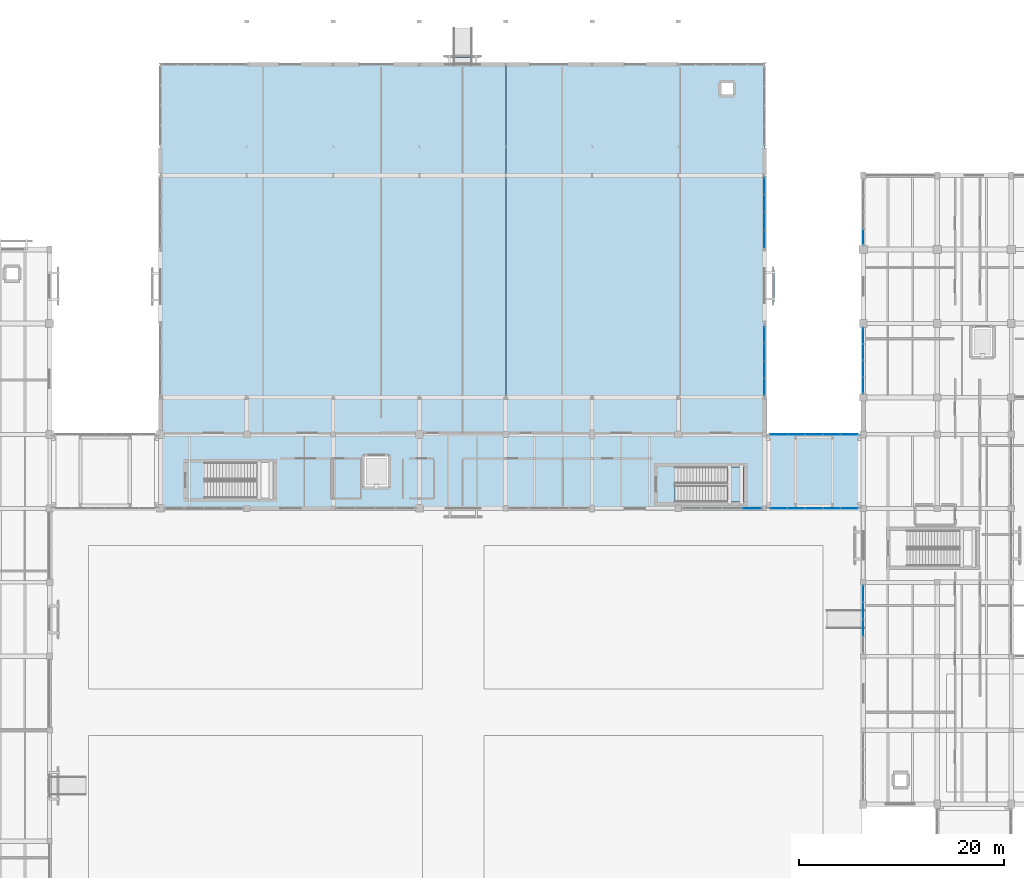
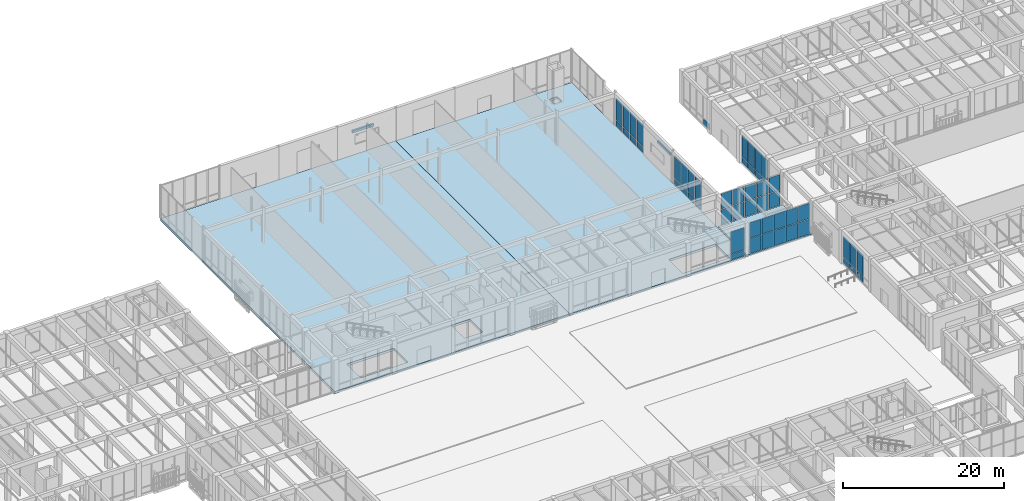
# One storey, part 115 of 169: 55 plates, 4 slabs, 9 elements without a shape of their own.
"""IFC4 building model written with IfcOpenShell, lengths in metres."""

from ifc_helpers import new_model, si_unit, direction, frame, origin, origin_2d, place, context, subcontext, project, spatial, polyline, rectangle, outline, extrude, material, layer, layer_set, type_object, element, aggregate, save


model = new_model("IFC4")

# Units and contexts
model_context = context("Model", 3, precision=1e-05, world=origin(), true_north=direction((0.0, 1.0)))
body_context = subcontext(model_context, "Body", "Model", "MODEL_VIEW")
ifc_project = project(units=[si_unit("LENGTHUNIT", "METRE"), si_unit("AREAUNIT", "SQUARE_METRE"), si_unit("VOLUMEUNIT", "CUBIC_METRE"), si_unit("PLANEANGLEUNIT", "RADIAN"), si_unit("MASSUNIT", "GRAM", prefix="KILO")], contexts=[model_context])

# Site, building, storey
site_placement = place(None, origin())
site = spatial("IfcSite", under=ifc_project, at=site_placement, CompositionType="ELEMENT")
building_placement = place(site_placement, origin())
building = spatial("IfcBuilding", under=site, at=building_placement, Name="Mazaris Harbour Polytechnic", CompositionType="ELEMENT")
storey_placement = place(building_placement, origin())
storey = spatial("IfcBuildingStorey", under=building, at=storey_placement, Name="L00", CompositionType="ELEMENT", Elevation=0.0)

# Curtain wall, plates
ifc_material_1 = material(Name="Anodised Bronze Aluminium and Low-E Glass", Category="aluminium")
ifc_layer_1 = layer(ifc_material_1, 0.14990234375, Name="Anodised Bronze Aluminium and Low-E Glass")
ifc_layer_set_1 = layer_set([ifc_layer_1], Name="Anodised Bronze Aluminium and Low-E Glass")
curtain_wall_type_1 = type_object("IfcCurtainWallType", Name="Workshop Clerestory Curtain Wall", PredefinedType="NOTDEFINED", material=ifc_layer_set_1)
curtain_wall_1_placement = place(storey_placement, origin())
curtain_wall_1 = element("IfcCurtainWall", 1, at=curtain_wall_1_placement, inside=storey, type_object=curtain_wall_type_1, Name="V1 L00 Curtain Wall 4", PredefinedType="NOTDEFINED")
ifc_material_2 = material(Name="Acoustic Low-E Double Glazing", Category="glass")
ifc_layer_2 = layer(ifc_material_2, 0.033935546875, Name="Acoustic Low-E Double Glazing")
ifc_layer_set_2 = layer_set([ifc_layer_2], Name="Acoustic Low-E Double Glazing")
plate_type_1 = type_object("IfcPlateType", Name="Acoustic Laminated Glass Panel 34", PredefinedType="CURTAIN_PANEL", material=ifc_layer_set_2)
plate_1_placement = place(storey_placement, frame((111.57470703125, 75.60009765625, 0.080078125), z_axis=(0.0, 0.0, 1.0), x_axis=(-1.0, 0.0, 0.0)))
plate_1 = element("IfcPlate", 2, at=plate_1_placement, type_object=plate_type_1, Name="CW-04 panel 1.1", PredefinedType="CURTAIN_PANEL", context=body_context, shape_type="SweptSolid", body=[
    extrude(rectangle(XDim=1.81640625, YDim=0.033935546875, at=origin_2d()), origin(), (0.0, 0.0, 1.0), 0.830078125),
])
plate_2_placement = place(storey_placement, frame((111.57470703125, 75.60009765625, 0.989990234375), z_axis=(0.0, 0.0, 1.0), x_axis=(-1.0, 0.0, 0.0)))
plate_2 = element("IfcPlate", 3, at=plate_2_placement, type_object=plate_type_1, Name="CW-04 panel 1.2", PredefinedType="CURTAIN_PANEL", context=body_context, shape_type="SweptSolid", body=[
    extrude(rectangle(XDim=1.81640625, YDim=0.033935546875, at=origin_2d()), origin(), (0.0, 0.0, 1.0), 3.35009765625),
])
aggregate(curtain_wall_1, [plate_1, plate_2])

curtain_wall_2_placement = place(storey_placement, origin())
curtain_wall_2 = element("IfcCurtainWall", 4, at=curtain_wall_2_placement, inside=storey, type_object=curtain_wall_type_1, Name="V1 L00 Curtain Wall 10", PredefinedType="NOTDEFINED")
plate_3_placement = place(storey_placement, frame((112.800048828125, 92.5029296875, 0.080078125), z_axis=(0.0, 0.0, 1.0), x_axis=(0.0, -1.0, 0.0)))
plate_3 = element("IfcPlate", 5, at=plate_3_placement, type_object=plate_type_1, Name="CW-04 panel 1.1", PredefinedType="CURTAIN_PANEL", context=body_context, shape_type="SweptSolid", body=[
    extrude(rectangle(XDim=1.55029296875, YDim=0.033935546875, at=origin_2d()), origin(), (0.0, 0.0, 1.0), 0.830078125),
])
plate_4_placement = place(storey_placement, frame((112.800048828125, 92.5029296875, 0.989990234375), z_axis=(0.0, 0.0, 1.0), x_axis=(0.0, -1.0, 0.0)))
plate_4 = element("IfcPlate", 6, at=plate_4_placement, type_object=plate_type_1, Name="CW-04 panel 1.2", PredefinedType="CURTAIN_PANEL", context=body_context, shape_type="SweptSolid", body=[
    extrude(rectangle(XDim=1.55029296875, YDim=0.033935546875, at=origin_2d()), origin(), (0.0, 0.0, 1.0), 3.39990234375),
])
plate_5_placement = place(storey_placement, frame((112.800048828125, 90.82763671875, 0.080078125), z_axis=(0.0, 0.0, 1.0), x_axis=(0.0, -1.0, 0.0)))
plate_5 = element("IfcPlate", 7, at=plate_5_placement, type_object=plate_type_1, Name="CW-04 panel 2.1", PredefinedType="CURTAIN_PANEL", context=body_context, shape_type="SweptSolid", body=[
    extrude(rectangle(XDim=1.600341796875, YDim=0.033935546875, at=origin_2d()), origin(), (0.0, 0.0, 1.0), 0.830078125),
])
plate_6_placement = place(storey_placement, frame((112.800048828125, 90.82763671875, 0.989990234375), z_axis=(0.0, 0.0, 1.0), x_axis=(0.0, -1.0, 0.0)))
plate_6 = element("IfcPlate", 8, at=plate_6_placement, type_object=plate_type_1, Name="CW-04 panel 2.2", PredefinedType="CURTAIN_PANEL", context=body_context, shape_type="SweptSolid", body=[
    extrude(rectangle(XDim=1.600341796875, YDim=0.033935546875, at=origin_2d()), origin(), (0.0, 0.0, 1.0), 3.39990234375),
])
plate_7_placement = place(storey_placement, frame((112.800048828125, 89.12744140625, 0.080078125), z_axis=(0.0, 0.0, 1.0), x_axis=(0.0, -1.0, 0.0)))
plate_7 = element("IfcPlate", 9, at=plate_7_placement, type_object=plate_type_1, Name="CW-04 panel 3.1", PredefinedType="CURTAIN_PANEL", context=body_context, shape_type="SweptSolid", body=[
    extrude(rectangle(XDim=1.600341796875, YDim=0.033935546875, at=origin_2d()), origin(), (0.0, 0.0, 1.0), 0.830078125),
])
plate_8_placement = place(storey_placement, frame((112.800048828125, 89.12744140625, 0.989990234375), z_axis=(0.0, 0.0, 1.0), x_axis=(0.0, -1.0, 0.0)))
plate_8 = element("IfcPlate", 10, at=plate_8_placement, type_object=plate_type_1, Name="CW-04 panel 3.2", PredefinedType="CURTAIN_PANEL", context=body_context, shape_type="SweptSolid", body=[
    extrude(rectangle(XDim=1.600341796875, YDim=0.033935546875, at=origin_2d()), origin(), (0.0, 0.0, 1.0), 3.39990234375),
])
plate_9_placement = place(storey_placement, frame((112.800048828125, 87.4521484375, 0.080078125), z_axis=(0.0, 0.0, 1.0), x_axis=(0.0, -1.0, 0.0)))
plate_9 = element("IfcPlate", 11, at=plate_9_placement, type_object=plate_type_1, Name="CW-04 panel 4.1", PredefinedType="CURTAIN_PANEL", context=body_context, shape_type="SweptSolid", body=[
    extrude(rectangle(XDim=1.55029296875, YDim=0.033935546875, at=origin_2d()), origin(), (0.0, 0.0, 1.0), 0.830078125),
])
plate_10_placement = place(storey_placement, frame((112.800048828125, 87.4521484375, 0.989990234375), z_axis=(0.0, 0.0, 1.0), x_axis=(0.0, -1.0, 0.0)))
plate_10 = element("IfcPlate", 12, at=plate_10_placement, type_object=plate_type_1, Name="CW-04 panel 4.2", PredefinedType="CURTAIN_PANEL", context=body_context, shape_type="SweptSolid", body=[
    extrude(rectangle(XDim=1.55029296875, YDim=0.033935546875, at=origin_2d()), origin(), (0.0, 0.0, 1.0), 3.39990234375),
])
aggregate(curtain_wall_2, [plate_3, plate_4, plate_5, plate_6, plate_7, plate_8, plate_9, plate_10])

curtain_wall_3_placement = place(storey_placement, origin())
curtain_wall_3 = element("IfcCurtainWall", 13, at=curtain_wall_3_placement, inside=storey, type_object=curtain_wall_type_1, Name="V1 L00 Curtain Wall 11", PredefinedType="NOTDEFINED")
plate_11_placement = place(storey_placement, frame((112.800048828125, 106.98486328125, 0.080078125), z_axis=(0.0, 0.0, 1.0), x_axis=(0.0, -1.0, 0.0)))
plate_11 = element("IfcPlate", 14, at=plate_11_placement, type_object=plate_type_1, Name="CW-04 panel 1.1", PredefinedType="CURTAIN_PANEL", context=body_context, shape_type="SweptSolid", body=[
    extrude(rectangle(XDim=1.596435546875, YDim=0.033935546875, at=origin_2d()), origin(), (0.0, 0.0, 1.0), 0.830078125),
])
plate_12_placement = place(storey_placement, frame((112.800048828125, 106.98486328125, 0.98974609375), z_axis=(0.0, 0.0, 1.0), x_axis=(0.0, -1.0, 0.0)))
plate_12 = element("IfcPlate", 15, at=plate_12_placement, type_object=plate_type_1, Name="CW-04 panel 1.2", PredefinedType="CURTAIN_PANEL", context=body_context, shape_type="SweptSolid", body=[
    extrude(rectangle(XDim=1.596435546875, YDim=0.033935546875, at=origin_2d()), origin(), (0.0, 0.0, 1.0), 3.300048828125),
])
plate_13_placement = place(storey_placement, frame((112.800048828125, 105.26318359375, 0.080078125), z_axis=(0.0, 0.0, 1.0), x_axis=(0.0, -1.0, 0.0)))
plate_13 = element("IfcPlate", 16, at=plate_13_placement, type_object=plate_type_1, Name="CW-04 panel 2.1", PredefinedType="CURTAIN_PANEL", context=body_context, shape_type="SweptSolid", body=[
    extrude(rectangle(XDim=1.646484375, YDim=0.033935546875, at=origin_2d()), origin(), (0.0, 0.0, 1.0), 0.830078125),
])
plate_14_placement = place(storey_placement, frame((112.800048828125, 105.26318359375, 0.98974609375), z_axis=(0.0, 0.0, 1.0), x_axis=(0.0, -1.0, 0.0)))
plate_14 = element("IfcPlate", 17, at=plate_14_placement, type_object=plate_type_1, Name="CW-04 panel 2.2", PredefinedType="CURTAIN_PANEL", context=body_context, shape_type="SweptSolid", body=[
    extrude(rectangle(XDim=1.646484375, YDim=0.033935546875, at=origin_2d()), origin(), (0.0, 0.0, 1.0), 3.300048828125),
])
plate_15_placement = place(storey_placement, frame((112.800048828125, 103.516845703125, 0.080078125), z_axis=(0.0, 0.0, 1.0), x_axis=(0.0, -1.0, 0.0)))
plate_15 = element("IfcPlate", 18, at=plate_15_placement, type_object=plate_type_1, Name="CW-04 panel 3.1", PredefinedType="CURTAIN_PANEL", context=body_context, shape_type="SweptSolid", body=[
    extrude(rectangle(XDim=1.646484375, YDim=0.033935546875, at=origin_2d()), origin(), (0.0, 0.0, 1.0), 0.830078125),
])
plate_16_placement = place(storey_placement, frame((112.800048828125, 103.516845703125, 0.98974609375), z_axis=(0.0, 0.0, 1.0), x_axis=(0.0, -1.0, 0.0)))
plate_16 = element("IfcPlate", 19, at=plate_16_placement, type_object=plate_type_1, Name="CW-04 panel 3.2", PredefinedType="CURTAIN_PANEL", context=body_context, shape_type="SweptSolid", body=[
    extrude(rectangle(XDim=1.646484375, YDim=0.033935546875, at=origin_2d()), origin(), (0.0, 0.0, 1.0), 3.300048828125),
])
plate_17_placement = place(storey_placement, frame((112.800048828125, 101.795166015625, 0.080078125), z_axis=(0.0, 0.0, 1.0), x_axis=(0.0, -1.0, 0.0)))
plate_17 = element("IfcPlate", 20, at=plate_17_placement, type_object=plate_type_1, Name="CW-04 panel 4.1", PredefinedType="CURTAIN_PANEL", context=body_context, shape_type="SweptSolid", body=[
    extrude(rectangle(XDim=1.596435546875, YDim=0.033935546875, at=origin_2d()), origin(), (0.0, 0.0, 1.0), 0.830078125),
])
plate_18_placement = place(storey_placement, frame((112.800048828125, 101.795166015625, 0.98974609375), z_axis=(0.0, 0.0, 1.0), x_axis=(0.0, -1.0, 0.0)))
plate_18 = element("IfcPlate", 21, at=plate_18_placement, type_object=plate_type_1, Name="CW-04 panel 4.2", PredefinedType="CURTAIN_PANEL", context=body_context, shape_type="SweptSolid", body=[
    extrude(rectangle(XDim=1.596435546875, YDim=0.033935546875, at=origin_2d()), origin(), (0.0, 0.0, 1.0), 3.300048828125),
])
aggregate(curtain_wall_3, [plate_11, plate_12, plate_13, plate_14, plate_15, plate_16, plate_17, plate_18])

# Slab
ifc_material_3 = material(Name="Glulam GL28h and Concrete C30/37", Category="concrete")
ifc_layer_3 = layer(ifc_material_3, 0.264892578125, Name="Glulam GL28h and Concrete C30/37")
ifc_layer_set_3 = layer_set([ifc_layer_3], Name="Glulam GL28h and Concrete C30/37")
slab_type_1 = type_object("IfcSlabType", Name="CLT Composite Floor 265", PredefinedType="FLOOR", material=ifc_layer_set_3)
slab_1_placement = place(storey_placement, frame((0.0, 0.0, -0.264892578125)))
element("IfcSlab", 22, at=slab_1_placement, inside=storey, type_object=slab_type_1, Name="PB-E2 L00 Bridge Deck", PredefinedType="FLOOR", context=body_context, shape_type="SweptSolid", body=[
    extrude(outline(polyline([(122.25, 75.60009765625), (122.25, 82.800048828125), (112.949951171875, 82.800048828125), (112.949951171875, 75.60009765625), (122.25, 75.60009765625)])), origin(), (0.0, 0.0, 1.0), 0.264892578125),
])

# Curtain wall, plates
ifc_material_4 = material(Name="Anodised Bronze Aluminium and Low-E Glass", Category="aluminium")
ifc_layer_4 = layer(ifc_material_4, 0.139892578125, Name="Anodised Bronze Aluminium and Low-E Glass")
ifc_layer_set_4 = layer_set([ifc_layer_4], Name="Anodised Bronze Aluminium and Low-E Glass")
curtain_wall_type_2 = type_object("IfcCurtainWallType", Name="Seismic Link Bridge Glazing", PredefinedType="NOTDEFINED", material=ifc_layer_set_4)
curtain_wall_4_placement = place(storey_placement, origin())
curtain_wall_4 = element("IfcCurtainWall", 23, at=curtain_wall_4_placement, inside=storey, type_object=curtain_wall_type_2, Name="PB-E2 L00 Bridge Glazing", PredefinedType="NOTDEFINED")
ifc_material_5 = material(Name="Anodised Bronze Insulated Panel")
ifc_layer_5 = layer(ifc_material_5, 0.0419921875, Name="Anodised Bronze Insulated Panel")
ifc_layer_set_5 = layer_set([ifc_layer_5], Name="Anodised Bronze Insulated Panel")
plate_type_2 = type_object("IfcPlateType", Name="Insulated Bronze Spandrel Panel 42", PredefinedType="CURTAIN_PANEL", material=ifc_layer_set_5)
plate_19_placement = place(storey_placement, frame((114.1640625, 75.60009765625, 0.080078125), z_axis=(0.0, 0.0, 1.0), x_axis=(1.0, 0.0, 0.0)))
plate_19 = element("IfcPlate", 24, at=plate_19_placement, type_object=plate_type_2, Name="CW-05 panel 1.1", PredefinedType="CURTAIN_PANEL", context=body_context, shape_type="SweptSolid", body=[
    extrude(rectangle(XDim=1.60791015625, YDim=0.0419921875, at=origin_2d()), origin(), (0.0, 0.0, 1.0), 2.297607421875),
])
plate_20_placement = place(storey_placement, frame((114.1640625, 75.60009765625, 2.45751953125), z_axis=(0.0, 0.0, 1.0), x_axis=(1.0, 0.0, 0.0)))
plate_20 = element("IfcPlate", 25, at=plate_20_placement, type_object=plate_type_2, Name="CW-05 panel 1.2", PredefinedType="CURTAIN_PANEL", context=body_context, shape_type="SweptSolid", body=[
    extrude(rectangle(XDim=1.60791015625, YDim=0.0419921875, at=origin_2d()), origin(), (0.0, 0.0, 1.0), 2.297607421875),
])
plate_21_placement = place(storey_placement, frame((115.8720703125, 75.60009765625, 0.080078125), z_axis=(0.0, 0.0, 1.0), x_axis=(1.0, 0.0, 0.0)))
plate_21 = element("IfcPlate", 26, at=plate_21_placement, type_object=plate_type_2, Name="CW-05 panel 2.1", PredefinedType="CURTAIN_PANEL", context=body_context, shape_type="SweptSolid", body=[
    extrude(rectangle(XDim=1.64794921875, YDim=0.0419921875, at=origin_2d()), origin(), (0.0, 0.0, 1.0), 2.297607421875),
])
plate_22_placement = place(storey_placement, frame((115.8720703125, 75.60009765625, 2.45751953125), z_axis=(0.0, 0.0, 1.0), x_axis=(1.0, 0.0, 0.0)))
plate_22 = element("IfcPlate", 27, at=plate_22_placement, type_object=plate_type_2, Name="CW-05 panel 2.2", PredefinedType="CURTAIN_PANEL", context=body_context, shape_type="SweptSolid", body=[
    extrude(rectangle(XDim=1.64794921875, YDim=0.0419921875, at=origin_2d()), origin(), (0.0, 0.0, 1.0), 2.297607421875),
])
plate_23_placement = place(storey_placement, frame((117.60009765625, 75.60009765625, 0.080078125), z_axis=(0.0, 0.0, 1.0), x_axis=(1.0, 0.0, 0.0)))
plate_23 = element("IfcPlate", 28, at=plate_23_placement, type_object=plate_type_2, Name="CW-05 panel 3.1", PredefinedType="CURTAIN_PANEL", context=body_context, shape_type="SweptSolid", body=[
    extrude(rectangle(XDim=1.64794921875, YDim=0.0419921875, at=origin_2d()), origin(), (0.0, 0.0, 1.0), 2.297607421875),
])
plate_24_placement = place(storey_placement, frame((117.60009765625, 75.60009765625, 2.45751953125), z_axis=(0.0, 0.0, 1.0), x_axis=(1.0, 0.0, 0.0)))
plate_24 = element("IfcPlate", 29, at=plate_24_placement, type_object=plate_type_2, Name="CW-05 panel 3.2", PredefinedType="CURTAIN_PANEL", context=body_context, shape_type="SweptSolid", body=[
    extrude(rectangle(XDim=1.64794921875, YDim=0.0419921875, at=origin_2d()), origin(), (0.0, 0.0, 1.0), 2.297607421875),
])
plate_25_placement = place(storey_placement, frame((119.327880859375, 75.60009765625, 0.080078125), z_axis=(0.0, 0.0, 1.0), x_axis=(1.0, 0.0, 0.0)))
plate_25 = element("IfcPlate", 30, at=plate_25_placement, type_object=plate_type_2, Name="CW-05 panel 4.1", PredefinedType="CURTAIN_PANEL", context=body_context, shape_type="SweptSolid", body=[
    extrude(rectangle(XDim=1.64794921875, YDim=0.0419921875, at=origin_2d()), origin(), (0.0, 0.0, 1.0), 2.297607421875),
])
plate_26_placement = place(storey_placement, frame((119.327880859375, 75.60009765625, 2.45751953125), z_axis=(0.0, 0.0, 1.0), x_axis=(1.0, 0.0, 0.0)))
plate_26 = element("IfcPlate", 31, at=plate_26_placement, type_object=plate_type_2, Name="CW-05 panel 4.2", PredefinedType="CURTAIN_PANEL", context=body_context, shape_type="SweptSolid", body=[
    extrude(rectangle(XDim=1.64794921875, YDim=0.0419921875, at=origin_2d()), origin(), (0.0, 0.0, 1.0), 2.297607421875),
])
plate_27_placement = place(storey_placement, frame((121.035888671875, 75.60009765625, 0.080078125), z_axis=(0.0, 0.0, 1.0), x_axis=(1.0, 0.0, 0.0)))
plate_27 = element("IfcPlate", 32, at=plate_27_placement, type_object=plate_type_2, Name="CW-05 panel 5.1", PredefinedType="CURTAIN_PANEL", context=body_context, shape_type="SweptSolid", body=[
    extrude(rectangle(XDim=1.60791015625, YDim=0.0419921875, at=origin_2d()), origin(), (0.0, 0.0, 1.0), 2.297607421875),
])
plate_28_placement = place(storey_placement, frame((121.035888671875, 75.60009765625, 2.45751953125), z_axis=(0.0, 0.0, 1.0), x_axis=(1.0, 0.0, 0.0)))
plate_28 = element("IfcPlate", 33, at=plate_28_placement, type_object=plate_type_2, Name="CW-05 panel 5.2", PredefinedType="CURTAIN_PANEL", context=body_context, shape_type="SweptSolid", body=[
    extrude(rectangle(XDim=1.60791015625, YDim=0.0419921875, at=origin_2d()), origin(), (0.0, 0.0, 1.0), 2.297607421875),
])
aggregate(curtain_wall_4, [plate_19, plate_20, plate_21, plate_22, plate_23, plate_24, plate_25, plate_26, plate_27, plate_28])

curtain_wall_5_placement = place(storey_placement, origin())
curtain_wall_5 = element("IfcCurtainWall", 34, at=curtain_wall_5_placement, inside=storey, type_object=curtain_wall_type_2, Name="PB-E2 L00 Bridge Glazing", PredefinedType="NOTDEFINED")
ifc_material_6 = material(Name="Low-E Double Glazing", Category="glass")
ifc_layer_6 = layer(ifc_material_6, 0.028076171875, Name="Low-E Double Glazing")
ifc_layer_set_6 = layer_set([ifc_layer_6], Name="Low-E Double Glazing")
plate_type_3 = type_object("IfcPlateType", Name="Low-E Vision Glass Panel 28", PredefinedType="CURTAIN_PANEL", material=ifc_layer_set_6)
plate_29_placement = place(storey_placement, frame((121.035888671875, 82.800048828125, 0.080078125), z_axis=(0.0, 0.0, 1.0), x_axis=(-1.0, 0.0, 0.0)))
plate_29 = element("IfcPlate", 35, at=plate_29_placement, type_object=plate_type_3, Name="CW-05 panel 1.1", PredefinedType="CURTAIN_PANEL", context=body_context, shape_type="SweptSolid", body=[
    extrude(rectangle(XDim=1.60791015625, YDim=0.028076171875, at=origin_2d()), origin(), (0.0, 0.0, 1.0), 2.297607421875),
])
plate_30_placement = place(storey_placement, frame((121.035888671875, 82.800048828125, 2.45751953125), z_axis=(0.0, 0.0, 1.0), x_axis=(-1.0, 0.0, 0.0)))
plate_30 = element("IfcPlate", 36, at=plate_30_placement, type_object=plate_type_3, Name="CW-05 panel 1.2", PredefinedType="CURTAIN_PANEL", context=body_context, shape_type="SweptSolid", body=[
    extrude(rectangle(XDim=1.60791015625, YDim=0.028076171875, at=origin_2d()), origin(), (0.0, 0.0, 1.0), 2.297607421875),
])
plate_31_placement = place(storey_placement, frame((119.327880859375, 82.800048828125, 0.080078125), z_axis=(0.0, 0.0, 1.0), x_axis=(-1.0, 0.0, 0.0)))
plate_31 = element("IfcPlate", 37, at=plate_31_placement, type_object=plate_type_3, Name="CW-05 panel 2.1", PredefinedType="CURTAIN_PANEL", context=body_context, shape_type="SweptSolid", body=[
    extrude(rectangle(XDim=1.64794921875, YDim=0.028076171875, at=origin_2d()), origin(), (0.0, 0.0, 1.0), 2.297607421875),
])
plate_32_placement = place(storey_placement, frame((119.327880859375, 82.800048828125, 2.45751953125), z_axis=(0.0, 0.0, 1.0), x_axis=(-1.0, 0.0, 0.0)))
plate_32 = element("IfcPlate", 38, at=plate_32_placement, type_object=plate_type_3, Name="CW-05 panel 2.2", PredefinedType="CURTAIN_PANEL", context=body_context, shape_type="SweptSolid", body=[
    extrude(rectangle(XDim=1.64794921875, YDim=0.028076171875, at=origin_2d()), origin(), (0.0, 0.0, 1.0), 2.297607421875),
])
plate_33_placement = place(storey_placement, frame((117.60009765625, 82.800048828125, 0.080078125), z_axis=(0.0, 0.0, 1.0), x_axis=(-1.0, 0.0, 0.0)))
plate_33 = element("IfcPlate", 39, at=plate_33_placement, type_object=plate_type_3, Name="CW-05 panel 3.1", PredefinedType="CURTAIN_PANEL", context=body_context, shape_type="SweptSolid", body=[
    extrude(rectangle(XDim=1.64794921875, YDim=0.028076171875, at=origin_2d()), origin(), (0.0, 0.0, 1.0), 2.297607421875),
])
plate_34_placement = place(storey_placement, frame((117.60009765625, 82.800048828125, 2.45751953125), z_axis=(0.0, 0.0, 1.0), x_axis=(-1.0, 0.0, 0.0)))
plate_34 = element("IfcPlate", 40, at=plate_34_placement, type_object=plate_type_3, Name="CW-05 panel 3.2", PredefinedType="CURTAIN_PANEL", context=body_context, shape_type="SweptSolid", body=[
    extrude(rectangle(XDim=1.64794921875, YDim=0.028076171875, at=origin_2d()), origin(), (0.0, 0.0, 1.0), 2.297607421875),
])
plate_35_placement = place(storey_placement, frame((115.8720703125, 82.800048828125, 0.080078125), z_axis=(0.0, 0.0, 1.0), x_axis=(-1.0, 0.0, 0.0)))
plate_35 = element("IfcPlate", 41, at=plate_35_placement, type_object=plate_type_3, Name="CW-05 panel 4.1", PredefinedType="CURTAIN_PANEL", context=body_context, shape_type="SweptSolid", body=[
    extrude(rectangle(XDim=1.64794921875, YDim=0.028076171875, at=origin_2d()), origin(), (0.0, 0.0, 1.0), 2.297607421875),
])
plate_36_placement = place(storey_placement, frame((115.8720703125, 82.800048828125, 2.45751953125), z_axis=(0.0, 0.0, 1.0), x_axis=(-1.0, 0.0, 0.0)))
plate_36 = element("IfcPlate", 42, at=plate_36_placement, type_object=plate_type_3, Name="CW-05 panel 4.2", PredefinedType="CURTAIN_PANEL", context=body_context, shape_type="SweptSolid", body=[
    extrude(rectangle(XDim=1.64794921875, YDim=0.028076171875, at=origin_2d()), origin(), (0.0, 0.0, 1.0), 2.297607421875),
])
plate_37_placement = place(storey_placement, frame((114.1640625, 82.800048828125, 0.080078125), z_axis=(0.0, 0.0, 1.0), x_axis=(-1.0, 0.0, 0.0)))
plate_37 = element("IfcPlate", 43, at=plate_37_placement, type_object=plate_type_3, Name="CW-05 panel 5.1", PredefinedType="CURTAIN_PANEL", context=body_context, shape_type="SweptSolid", body=[
    extrude(rectangle(XDim=1.60791015625, YDim=0.028076171875, at=origin_2d()), origin(), (0.0, 0.0, 1.0), 2.297607421875),
])
plate_38_placement = place(storey_placement, frame((114.1640625, 82.800048828125, 2.45751953125), z_axis=(0.0, 0.0, 1.0), x_axis=(-1.0, 0.0, 0.0)))
plate_38 = element("IfcPlate", 44, at=plate_38_placement, type_object=plate_type_3, Name="CW-05 panel 5.2", PredefinedType="CURTAIN_PANEL", context=body_context, shape_type="SweptSolid", body=[
    extrude(rectangle(XDim=1.60791015625, YDim=0.028076171875, at=origin_2d()), origin(), (0.0, 0.0, 1.0), 2.297607421875),
])
aggregate(curtain_wall_5, [plate_29, plate_30, plate_31, plate_32, plate_33, plate_34, plate_35, plate_36, plate_37, plate_38])

# Plates
ifc_material_7 = material(Name="Perforated Earth-Coloured Terracotta Block", Category="masonry")
ifc_layer_7 = layer(ifc_material_7, 0.25, Name="Perforated Earth-Coloured Terracotta Block")
ifc_layer_set_7 = layer_set([ifc_layer_7], Name="Perforated Earth-Coloured Terracotta Block")
plate_type_4 = type_object("IfcPlateType", Name="Perforated Terracotta Workshop Screen 3060x250x380", PredefinedType="USERDEFINED", material=ifc_layer_set_7)
for number, where, z_axis, x_axis, name in (
    (45, (83.39990234375, 119.6201171875, 2.68017578125), (0.0, 0.0, 1.0), (1.0, 0.0, 0.0), "V1 L00 Terracotta Screen Crest Plaque 2"),
    (46, (113.6201171875, 97.262451171875, 2.68017578125), (0.0, 0.0, 1.0), (0.0, -1.0, 0.0), "V1 L00 Terracotta Screen Crest Plaque 4"),
):
    element("IfcPlate", number, at=place(storey_placement, frame(where, z_axis=z_axis, x_axis=x_axis)), inside=storey, type_object=plate_type_4, Name=name, ObjectType="SOLAR SCREEN", PredefinedType="USERDEFINED", context=body_context, shape_type="SweptSolid", body=[
        extrude(rectangle(XDim=3.06005859375, YDim=0.25, at=origin_2d()), origin(), (0.0, 0.0, 1.0), 0.3798828125),
    ])

# Stair, slab
ifc_material_8 = material(Name="Concrete C40/50", Category="concrete")
stair_type = type_object("IfcStairType", Name="Core Exit Stair H5400", PredefinedType="HALF_TURN_STAIR", material=ifc_material_8)
stair_placement = place(storey_placement, origin())
stair = element("IfcStair", 47, at=stair_placement, inside=storey, type_object=stair_type, Name="L00 ST02", PredefinedType="HALF_TURN_STAIR")
ifc_material_9 = material(Name="Concrete C40/50", Category="concrete")
ifc_layer_8 = layer(ifc_material_9, 0.199951171875, Name="Concrete C40/50")
ifc_layer_set_8 = layer_set([ifc_layer_8], Name="Concrete C40/50")
slab_type_2 = type_object("IfcSlabType", Name="RC Stair Landing 200", PredefinedType="LANDING", material=ifc_layer_set_8)
slab_2_placement = place(storey_placement, frame((0.0, 0.0, 2.5)))
slab_2 = element("IfcSlab", 48, at=slab_2_placement, type_object=slab_type_2, Name="ST02 landing 1", PredefinedType="LANDING", context=body_context, shape_type="SweptSolid", body=[
    extrude(outline(polyline([(109.14990234375, 76.199951171875), (110.800048828125, 76.199951171875), (110.800048828125, 79.64990234375), (109.14990234375, 79.64990234375), (109.14990234375, 76.199951171875)])), origin(), (0.0, 0.0, 1.0), 0.199951171875),
])
aggregate(stair, [slab_2])

# Slabs
ifc_material_10 = material(Name="Concrete C40/50", Category="concrete")
ifc_layer_9 = layer(ifc_material_10, 0.35009765625, Name="Concrete C40/50")
ifc_layer_set_9 = layer_set([ifc_layer_9], Name="Concrete C40/50")
slab_type_3 = type_object("IfcSlabType", Name="RC Workshop Heavy Slab 350", PredefinedType="FLOOR", material=ifc_layer_set_9)
slab_3_placement = place(storey_placement, frame((0.0, 0.0, -0.35009765625)))
element("IfcSlab", 49, at=slab_3_placement, inside=storey, type_object=slab_type_3, Name="V1 L00 Floor Slab", PredefinedType="FLOOR", context=body_context, shape_type="SweptSolid", body=[
    extrude(outline(polyline([(54.0, 75.60009765625), (54.0, 118.800048828125), (87.60009765625, 118.800048828125), (87.60009765625, 75.60009765625), (54.0, 75.60009765625)]), holes=[polyline([(65.0, 80.050048828125), (58.27490234375, 80.050048828125), (58.27490234375, 76.60009765625), (65.0, 76.60009765625), (65.0, 80.050048828125)]), polyline([(73.699951171875, 77.60009765625), (76.300048828125, 77.60009765625), (76.300048828125, 80.800048828125), (73.699951171875, 80.800048828125), (73.699951171875, 77.60009765625)])]), origin(), (0.0, 0.0, 1.0), 0.35009765625),
])
slab_4_placement = place(storey_placement, frame((0.0, 0.0, -0.35009765625)))
element("IfcSlab", 50, at=slab_4_placement, inside=storey, type_object=slab_type_3, Name="V1 L00 Floor Slab", PredefinedType="FLOOR", context=body_context, shape_type="SweptSolid", body=[
    extrude(outline(polyline([(87.60009765625, 75.60009765625), (87.60009765625, 118.800048828125), (112.800048828125, 118.800048828125), (112.800048828125, 75.60009765625), (87.60009765625, 75.60009765625)]), holes=[polyline([(110.800048828125, 76.199951171875), (110.800048828125, 79.64990234375), (104.074951171875, 79.64990234375), (104.074951171875, 76.199951171875), (110.800048828125, 76.199951171875)]), polyline([(108.580078125, 117.0), (108.580078125, 115.8798828125), (109.699951171875, 115.8798828125), (109.699951171875, 117.0), (108.580078125, 117.0)])]), origin(), (0.0, 0.0, 1.0), 0.35009765625),
])

# Curtain wall, plates
ifc_material_11 = material(Name="Anodised Bronze Aluminium and Low-E Glass", Category="aluminium")
ifc_layer_10 = layer(ifc_material_11, 0.169921875, Name="Anodised Bronze Aluminium and Low-E Glass")
ifc_layer_set_10 = layer_set([ifc_layer_10], Name="Anodised Bronze Aluminium and Low-E Glass")
curtain_wall_type_3 = type_object("IfcCurtainWallType", Name="Studio North-Light Curtain Wall", PredefinedType="NOTDEFINED", material=ifc_layer_set_10)
curtain_wall_6_placement = place(storey_placement, origin())
curtain_wall_6 = element("IfcCurtainWall", 51, at=curtain_wall_6_placement, inside=storey, type_object=curtain_wall_type_3, Name="V5 L00 Curtain Wall 188", PredefinedType="NOTDEFINED")
ifc_material_12 = material(Name="Solar-Control Low-E Glazing", Category="glass")
ifc_layer_11 = layer(ifc_material_12, 0.031982421875, Name="Solar-Control Low-E Glazing")
ifc_layer_set_11 = layer_set([ifc_layer_11], Name="Solar-Control Low-E Glazing")
plate_type_5 = type_object("IfcPlateType", Name="Solar Control Studio Glass Panel 32", PredefinedType="CURTAIN_PANEL", material=ifc_layer_set_11)
plate_39_placement = place(storey_placement, frame((122.39990234375, 63.951171875, 0.080078125), z_axis=(0.0, 0.0, 1.0), x_axis=(0.0, 1.0, 0.0)))
plate_39 = element("IfcPlate", 52, at=plate_39_placement, type_object=plate_type_5, Name="CW-03 panel 2.1", PredefinedType="CURTAIN_PANEL", context=body_context, shape_type="SweptSolid", body=[
    extrude(rectangle(XDim=1.5927734375, YDim=0.031982421875, at=origin_2d()), origin(), (0.0, 0.0, 1.0), 0.830078125),
])
plate_40_placement = place(storey_placement, frame((122.39990234375, 63.951171875, 0.990234375), z_axis=(0.0, 0.0, 1.0), x_axis=(0.0, 1.0, 0.0)))
plate_40 = element("IfcPlate", 53, at=plate_40_placement, type_object=plate_type_5, Name="CW-03 panel 2.2", PredefinedType="CURTAIN_PANEL", context=body_context, shape_type="SweptSolid", body=[
    extrude(rectangle(XDim=1.5927734375, YDim=0.031982421875, at=origin_2d()), origin(), (0.0, 0.0, 1.0), 3.219970703125),
])
plate_41_placement = place(storey_placement, frame((122.39990234375, 65.623779296875, 0.080078125), z_axis=(0.0, 0.0, 1.0), x_axis=(0.0, 1.0, 0.0)))
plate_41 = element("IfcPlate", 54, at=plate_41_placement, type_object=plate_type_5, Name="CW-03 panel 3.1", PredefinedType="CURTAIN_PANEL", context=body_context, shape_type="SweptSolid", body=[
    extrude(rectangle(XDim=1.5927734375, YDim=0.031982421875, at=origin_2d()), origin(), (0.0, 0.0, 1.0), 0.830078125),
])
plate_42_placement = place(storey_placement, frame((122.39990234375, 65.623779296875, 0.990234375), z_axis=(0.0, 0.0, 1.0), x_axis=(0.0, 1.0, 0.0)))
plate_42 = element("IfcPlate", 55, at=plate_42_placement, type_object=plate_type_5, Name="CW-03 panel 3.2", PredefinedType="CURTAIN_PANEL", context=body_context, shape_type="SweptSolid", body=[
    extrude(rectangle(XDim=1.5927734375, YDim=0.031982421875, at=origin_2d()), origin(), (0.0, 0.0, 1.0), 3.219970703125),
])
plate_43_placement = place(storey_placement, frame((122.39990234375, 67.276611328125, 0.080078125), z_axis=(0.0, 0.0, 1.0), x_axis=(0.0, 1.0, 0.0)))
plate_43 = element("IfcPlate", 56, at=plate_43_placement, type_object=plate_type_5, Name="CW-03 panel 4.1", PredefinedType="CURTAIN_PANEL", context=body_context, shape_type="SweptSolid", body=[
    extrude(rectangle(XDim=1.552734375, YDim=0.031982421875, at=origin_2d()), origin(), (0.0, 0.0, 1.0), 0.830078125),
])
plate_44_placement = place(storey_placement, frame((122.39990234375, 67.276611328125, 0.990234375), z_axis=(0.0, 0.0, 1.0), x_axis=(0.0, 1.0, 0.0)))
plate_44 = element("IfcPlate", 57, at=plate_44_placement, type_object=plate_type_5, Name="CW-03 panel 4.2", PredefinedType="CURTAIN_PANEL", context=body_context, shape_type="SweptSolid", body=[
    extrude(rectangle(XDim=1.552734375, YDim=0.031982421875, at=origin_2d()), origin(), (0.0, 0.0, 1.0), 3.219970703125),
])
aggregate(curtain_wall_6, [plate_39, plate_40, plate_41, plate_42, plate_43, plate_44])

curtain_wall_7_placement = place(storey_placement, origin())
curtain_wall_7 = element("IfcCurtainWall", 58, at=curtain_wall_7_placement, inside=storey, type_object=curtain_wall_type_3, Name="V5 L00 Curtain Wall 189", PredefinedType="NOTDEFINED")
plate_45_placement = place(storey_placement, frame((122.39990234375, 87.573486328125, 0.080078125), z_axis=(0.0, 0.0, 1.0), x_axis=(0.0, 1.0, 0.0)))
plate_45 = element("IfcPlate", 59, at=plate_45_placement, type_object=plate_type_5, Name="CW-03 panel 1.1", PredefinedType="CURTAIN_PANEL", context=body_context, shape_type="SweptSolid", body=[
    extrude(rectangle(XDim=1.502685546875, YDim=0.031982421875, at=origin_2d()), origin(), (0.0, 0.0, 1.0), 0.830078125),
])
plate_46_placement = place(storey_placement, frame((122.39990234375, 87.573486328125, 0.989990234375), z_axis=(0.0, 0.0, 1.0), x_axis=(0.0, 1.0, 0.0)))
plate_46 = element("IfcPlate", 60, at=plate_46_placement, type_object=plate_type_5, Name="CW-03 panel 1.2", PredefinedType="CURTAIN_PANEL", context=body_context, shape_type="SweptSolid", body=[
    extrude(rectangle(XDim=1.502685546875, YDim=0.031982421875, at=origin_2d()), origin(), (0.0, 0.0, 1.0), 3.27001953125),
])
plate_47_placement = place(storey_placement, frame((122.39990234375, 89.176025390625, 0.080078125), z_axis=(0.0, 0.0, 1.0), x_axis=(0.0, 1.0, 0.0)))
plate_47 = element("IfcPlate", 61, at=plate_47_placement, type_object=plate_type_5, Name="CW-03 panel 2.1", PredefinedType="CURTAIN_PANEL", context=body_context, shape_type="SweptSolid", body=[
    extrude(rectangle(XDim=1.542724609375, YDim=0.031982421875, at=origin_2d()), origin(), (0.0, 0.0, 1.0), 0.830078125),
])
plate_48_placement = place(storey_placement, frame((122.39990234375, 89.176025390625, 0.989990234375), z_axis=(0.0, 0.0, 1.0), x_axis=(0.0, 1.0, 0.0)))
plate_48 = element("IfcPlate", 62, at=plate_48_placement, type_object=plate_type_5, Name="CW-03 panel 2.2", PredefinedType="CURTAIN_PANEL", context=body_context, shape_type="SweptSolid", body=[
    extrude(rectangle(XDim=1.542724609375, YDim=0.031982421875, at=origin_2d()), origin(), (0.0, 0.0, 1.0), 3.27001953125),
])
plate_49_placement = place(storey_placement, frame((122.39990234375, 90.798828125, 0.080078125), z_axis=(0.0, 0.0, 1.0), x_axis=(0.0, 1.0, 0.0)))
plate_49 = element("IfcPlate", 63, at=plate_49_placement, type_object=plate_type_5, Name="CW-03 panel 3.1", PredefinedType="CURTAIN_PANEL", context=body_context, shape_type="SweptSolid", body=[
    extrude(rectangle(XDim=1.542724609375, YDim=0.031982421875, at=origin_2d()), origin(), (0.0, 0.0, 1.0), 0.830078125),
])
plate_50_placement = place(storey_placement, frame((122.39990234375, 90.798828125, 0.989990234375), z_axis=(0.0, 0.0, 1.0), x_axis=(0.0, 1.0, 0.0)))
plate_50 = element("IfcPlate", 64, at=plate_50_placement, type_object=plate_type_5, Name="CW-03 panel 3.2", PredefinedType="CURTAIN_PANEL", context=body_context, shape_type="SweptSolid", body=[
    extrude(rectangle(XDim=1.542724609375, YDim=0.031982421875, at=origin_2d()), origin(), (0.0, 0.0, 1.0), 3.27001953125),
])
plate_51_placement = place(storey_placement, frame((122.39990234375, 92.401611328125, 0.080078125), z_axis=(0.0, 0.0, 1.0), x_axis=(0.0, 1.0, 0.0)))
plate_51 = element("IfcPlate", 65, at=plate_51_placement, type_object=plate_type_5, Name="CW-03 panel 4.1", PredefinedType="CURTAIN_PANEL", context=body_context, shape_type="SweptSolid", body=[
    extrude(rectangle(XDim=1.502685546875, YDim=0.031982421875, at=origin_2d()), origin(), (0.0, 0.0, 1.0), 0.830078125),
])
plate_52_placement = place(storey_placement, frame((122.39990234375, 92.401611328125, 0.989990234375), z_axis=(0.0, 0.0, 1.0), x_axis=(0.0, 1.0, 0.0)))
plate_52 = element("IfcPlate", 66, at=plate_52_placement, type_object=plate_type_5, Name="CW-03 panel 4.2", PredefinedType="CURTAIN_PANEL", context=body_context, shape_type="SweptSolid", body=[
    extrude(rectangle(XDim=1.502685546875, YDim=0.031982421875, at=origin_2d()), origin(), (0.0, 0.0, 1.0), 3.27001953125),
])
aggregate(curtain_wall_7, [plate_45, plate_46, plate_47, plate_48, plate_49, plate_50, plate_51, plate_52])

# Curtain wall, plate
curtain_wall_8_placement = place(storey_placement, origin())
curtain_wall_8 = element("IfcCurtainWall", 67, at=curtain_wall_8_placement, inside=storey, type_object=curtain_wall_type_3, Name="V5 L00 Curtain Wall 190", PredefinedType="NOTDEFINED")
plate_53_placement = place(storey_placement, frame((122.39990234375, 102.020263671875, 0.080078125), z_axis=(0.0, 0.0, 1.0), x_axis=(0.0, 1.0, 0.0)))
plate_53 = element("IfcPlate", 68, at=plate_53_placement, type_object=plate_type_5, Name="CW-03 panel 1.1", PredefinedType="CURTAIN_PANEL", context=body_context, shape_type="SweptSolid", body=[
    extrude(rectangle(XDim=1.49658203125, YDim=0.031982421875, at=origin_2d()), origin(), (0.0, 0.0, 1.0), 0.830078125),
])
aggregate(curtain_wall_8, [plate_53])

save(model, "model.ifc")
